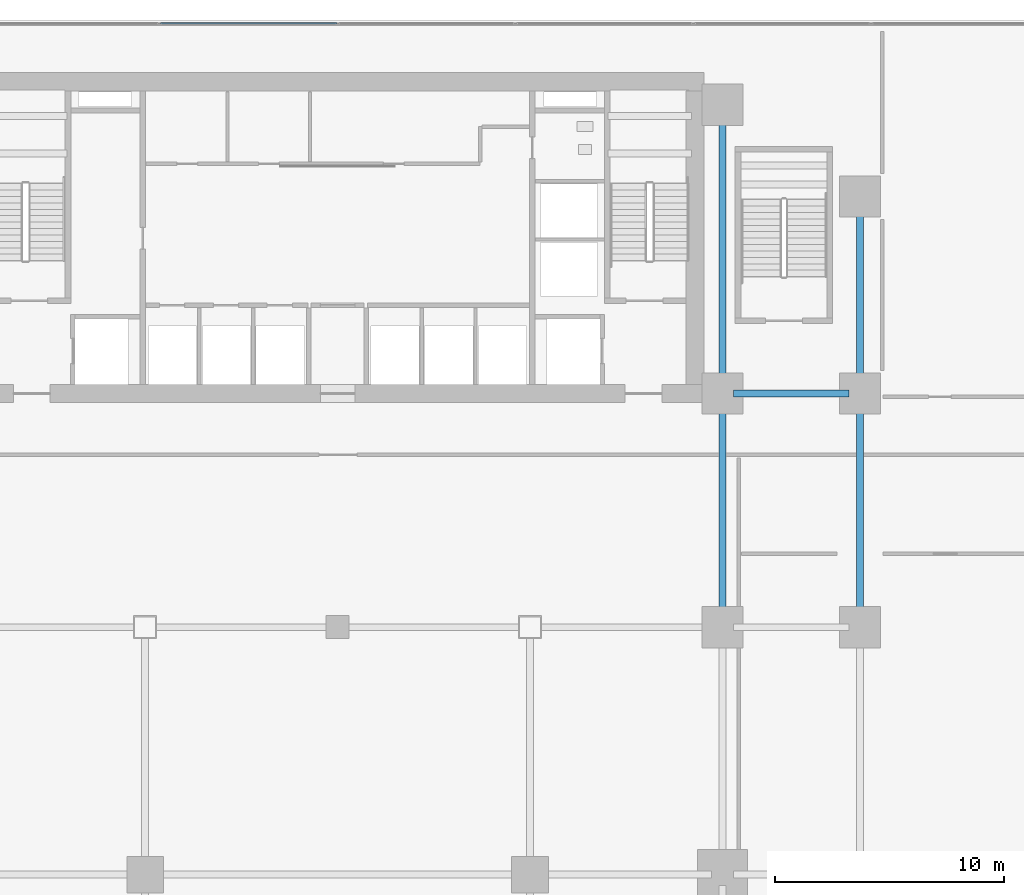
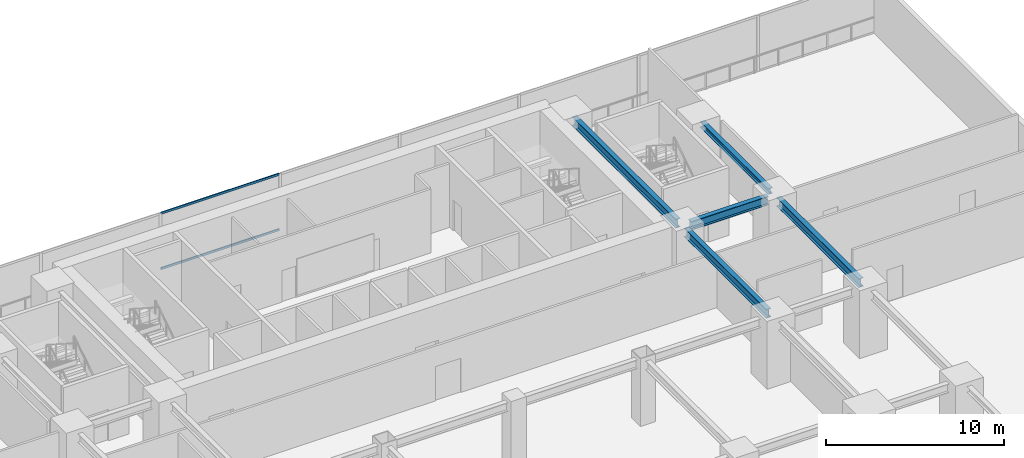
# One storey, part 4 of 17: 5 beams, 2 members, 1 element without a shape of its own.
"""IFC4 building model written with IfcOpenShell, lengths in metres."""

from ifc_helpers import new_model, si_unit, direction, frame, origin, origin_2d, place, context, subcontext, project, spatial, hollow_rectangle, i_section, extrude, source, transform, mapped, material, layer, layer_set, material_profile, profile_set, type_object, element, aggregate, save


model = new_model("IFC4")

# Units and contexts
model_context = context("Model", 3, precision=1e-05, world=origin(), true_north=direction((0.0, 1.0)))
body_context = subcontext(model_context, "Body", "Model", "MODEL_VIEW")
ifc_project = project(units=[si_unit("LENGTHUNIT", "METRE"), si_unit("AREAUNIT", "SQUARE_METRE"), si_unit("VOLUMEUNIT", "CUBIC_METRE"), si_unit("PLANEANGLEUNIT", "RADIAN"), si_unit("MASSUNIT", "GRAM", prefix="KILO")], contexts=[model_context])

# Site, building, storey
site_placement = place(None, origin())
site = spatial("IfcSite", under=ifc_project, at=site_placement, CompositionType="ELEMENT")
building_placement = place(site_placement, origin())
building = spatial("IfcBuilding", under=site, at=building_placement, Name="Sumidabori Civic Tower", CompositionType="ELEMENT")
storey_placement = place(building_placement, frame((0.0, 0.0, 5.0)))
storey = spatial("IfcBuildingStorey", under=building, at=storey_placement, Name="L01", CompositionType="ELEMENT", Elevation=5.0)

# Beams
ifc_material_1 = material(Name="Steel SN490", Category="steel")
ifc_material_profile_1 = material_profile(ifc_material_1, i_section(OverallWidth=0.300048828125, OverallDepth=0.60009765625, WebThickness=0.015380859375, FlangeThickness=0.030029296875, at=origin_2d()), Name="HE 600 B")
ifc_profile_set_1 = profile_set([ifc_material_profile_1], Name="Steel SN490")
beam_type_1 = type_object("IfcBeamType", Name="BM-GIRD-600", PredefinedType="BEAM", material=ifc_profile_set_1)
shared_shape_1 = source(origin(), body_context, "Body", "SweptSolid", [
    extrude(i_section(OverallWidth=0.300048828125, OverallDepth=0.60009765625, WebThickness=0.015380859375, FlangeThickness=0.030029296875, at=origin_2d()), origin(), (0.0, 0.0, 1.0), 5.0400390625),
])
beam_1_placement = place(storey_placement, frame((17.280029296875, 10.199951171875, 4.070068359375), z_axis=(1.0, 0.0, 0.0), x_axis=(0.0, 1.0, 0.0)))
element("IfcBeam", 1, at=beam_1_placement, inside=storey, type_object=beam_type_1, Name="Primary Girder L01 GX-20", PredefinedType="BEAM", context=body_context, shape_type="MappedRepresentation", body=[
    mapped(shared_shape_1, transform((0.0, 0.0, 0.0), x_axis=(1.0, 0.0, 0.0), y_axis=(0.0, 1.0, 0.0), z_axis=(0.0, 0.0, 1.0), scale=1.0)),
])
shared_shape_2 = source(origin(), body_context, "Body", "SweptSolid", [
    extrude(i_section(OverallWidth=0.300048828125, OverallDepth=0.60009765625, WebThickness=0.015380859375, FlangeThickness=0.030029296875, at=origin_2d()), origin(), (0.0, 0.0, 1.0), 9.239990234375),
])
for number, where, z_axis, x_axis, name in (
    (2, (16.800048828125, 0.47998046875, 4.070068359375), (0.0, 1.0, 0.0), (-1.0, 0.0, 0.0), "Primary Girder L01 GY-37"),
    (3, (22.800048828125, 0.47998046875, 4.070068359375), (0.0, 1.0, 0.0), (-1.0, 0.0, 0.0), "Primary Girder L01 GY-41"),
):
    element("IfcBeam", number, at=place(storey_placement, frame(where, z_axis=z_axis, x_axis=x_axis)), inside=storey, type_object=beam_type_1, Name=name, PredefinedType="BEAM", context=body_context, shape_type="MappedRepresentation", body=[
        mapped(shared_shape_2, transform((0.0, 0.0, 0.0), x_axis=(1.0, 0.0, 0.0), y_axis=(0.0, 1.0, 0.0), z_axis=(0.0, 0.0, 1.0), scale=1.0)),
    ])
ifc_material_profile_2 = material_profile(ifc_material_1, i_section(OverallWidth=0.300048828125, OverallDepth=0.39990234375, WebThickness=0.013427734375, FlangeThickness=0.02392578125, at=origin_2d()), Name="HE 400 B")
ifc_profile_set_2 = profile_set([ifc_material_profile_2], Name="Steel SN490")
beam_type_2 = type_object("IfcBeamType", Name="BM-GIRD-400", PredefinedType="BEAM", material=ifc_profile_set_2)
shared_shape_3 = source(origin(), body_context, "Body", "SweptSolid", [
    extrude(i_section(OverallWidth=0.300048828125, OverallDepth=0.39990234375, WebThickness=0.013427734375, FlangeThickness=0.02392578125, at=origin_2d()), origin(), (0.0, 0.0, 1.0), 7.64013671875),
])
beam_2_placement = place(storey_placement, frame((22.800048828125, 10.679931640625, 4.169921875), z_axis=(0.0, 1.0, 0.0), x_axis=(-1.0, 0.0, 0.0)))
element("IfcBeam", 4, at=beam_2_placement, inside=storey, type_object=beam_type_2, Name="Primary Girder L01 GY-42", PredefinedType="BEAM", context=body_context, shape_type="MappedRepresentation", body=[
    mapped(shared_shape_3, transform((0.0, 0.0, 0.0), x_axis=(1.0, 0.0, 0.0), y_axis=(0.0, 1.0, 0.0), z_axis=(0.0, 0.0, 1.0), scale=1.0)),
])
shared_shape_4 = source(origin(), body_context, "Body", "SweptSolid", [
    extrude(i_section(OverallWidth=0.300048828125, OverallDepth=0.60009765625, WebThickness=0.015380859375, FlangeThickness=0.030029296875, at=origin_2d()), origin(), (0.0, 0.0, 1.0), 11.64013671875),
])
beam_3_placement = place(storey_placement, frame((16.800048828125, 10.679931640625, 4.070068359375), z_axis=(0.0, 1.0, 0.0), x_axis=(-1.0, 0.0, 0.0)))
element("IfcBeam", 5, at=beam_3_placement, inside=storey, type_object=beam_type_1, Name="Primary Girder L01 GY-38", PredefinedType="BEAM", context=body_context, shape_type="MappedRepresentation", body=[
    mapped(shared_shape_4, transform((0.0, 0.0, 0.0), x_axis=(1.0, 0.0, 0.0), y_axis=(0.0, 1.0, 0.0), z_axis=(0.0, 0.0, 1.0), scale=1.0)),
])

# Curtain wall, members
ifc_material_2 = material(Name="Anodised Bronze Aluminium AW-6063-T6", Category="aluminium")
ifc_layer = layer(ifc_material_2, 0.179931640625, Name="Anodised Bronze Aluminium AW-6063-T6")
ifc_layer_set = layer_set([ifc_layer], Name="Anodised Bronze Aluminium AW-6063-T6")
curtain_wall_type = type_object("IfcCurtainWallType", Name="CW-SYS-1", PredefinedType="NOTDEFINED", material=ifc_layer_set)
curtain_wall_placement = place(storey_placement, origin())
curtain_wall = element("IfcCurtainWall", 6, at=curtain_wall_placement, inside=storey, type_object=curtain_wall_type, Name="Curtain Wall CW:L01:NORTH", PredefinedType="NOTDEFINED")
ifc_material_profile_3 = material_profile(ifc_material_2, hollow_rectangle(XDim=0.06494140625, YDim=0.14990234375, WallThickness=0.0048828125, at=origin_2d()), Name="ALU TRANSOM 150x65")
ifc_profile_set_3 = profile_set([ifc_material_profile_3], Name="Anodised Bronze Aluminium AW-6063-T6")
member_type = type_object("IfcMemberType", Name="CW-TRN-150", PredefinedType="USERDEFINED", material=ifc_profile_set_3)
shared_shape_5 = source(origin(), body_context, "Body", "SweptSolid", [
    extrude(hollow_rectangle(XDim=0.06494140625, YDim=0.14990234375, WallThickness=0.0048828125, at=origin_2d()), origin(), (0.0, 0.0, 1.0), 7.690185546875),
])
member_1_placement = place(storey_placement, frame((-7.72509765625, 26.35009765625, 0.032470703125), z_axis=(1.0, 0.0, 0.0), x_axis=(0.0, 1.0, 0.0)))
member_1 = element("IfcMember", 7, at=member_1_placement, type_object=member_type, Name="CW-1 transom 5.1", ObjectType="TRANSOM", PredefinedType="USERDEFINED", context=body_context, shape_type="MappedRepresentation", body=[
    mapped(shared_shape_5, transform((0.0, 0.0, 0.0), x_axis=(1.0, 0.0, 0.0), y_axis=(0.0, 1.0, 0.0), z_axis=(0.0, 0.0, 1.0), scale=1.0)),
])
member_2_placement = place(storey_placement, frame((-7.72509765625, 26.35009765625, 3.83740234375), z_axis=(1.0, 0.0, 0.0), x_axis=(0.0, 1.0, 0.0)))
member_2 = element("IfcMember", 8, at=member_2_placement, type_object=member_type, Name="CW-1 transom 5.2", ObjectType="TRANSOM", PredefinedType="USERDEFINED", context=body_context, shape_type="MappedRepresentation", body=[
    mapped(shared_shape_5, transform((0.0, 0.0, 0.0), x_axis=(1.0, 0.0, 0.0), y_axis=(0.0, 1.0, 0.0), z_axis=(0.0, 0.0, 1.0), scale=1.0)),
])
aggregate(curtain_wall, [member_1, member_2])

save(model, "model.ifc")
